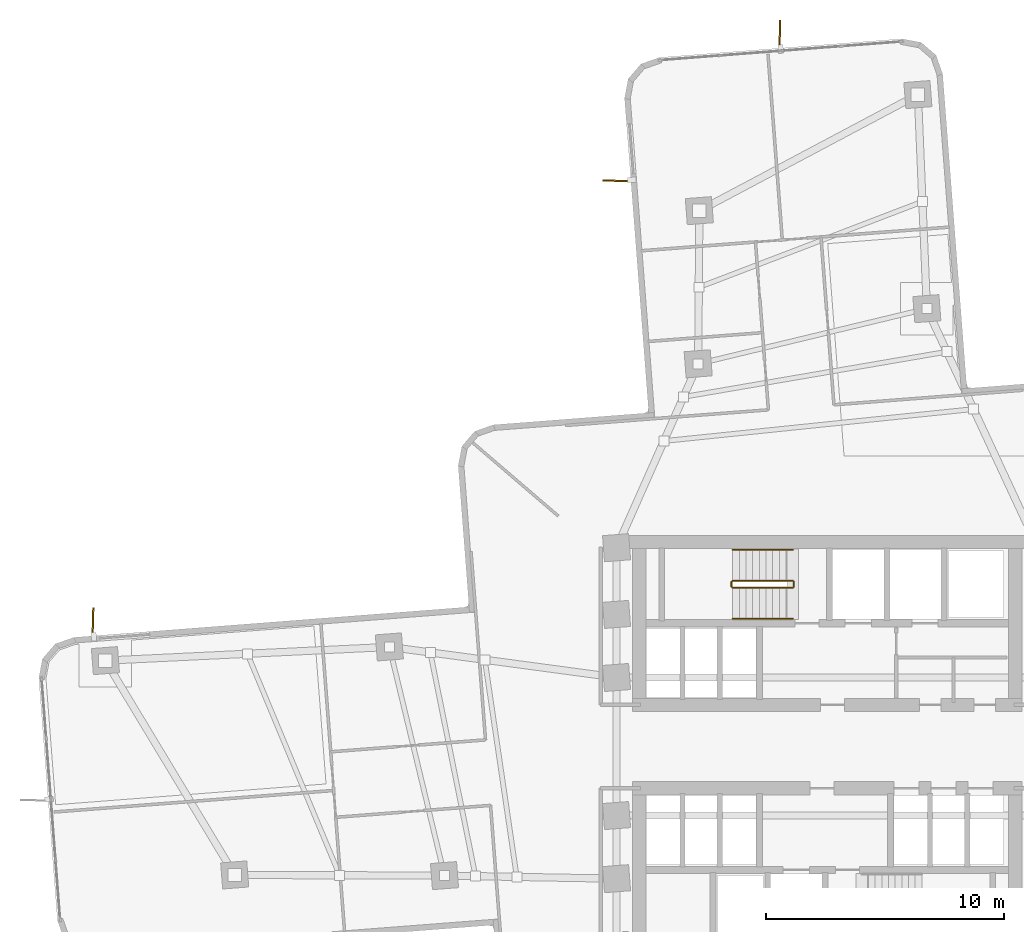
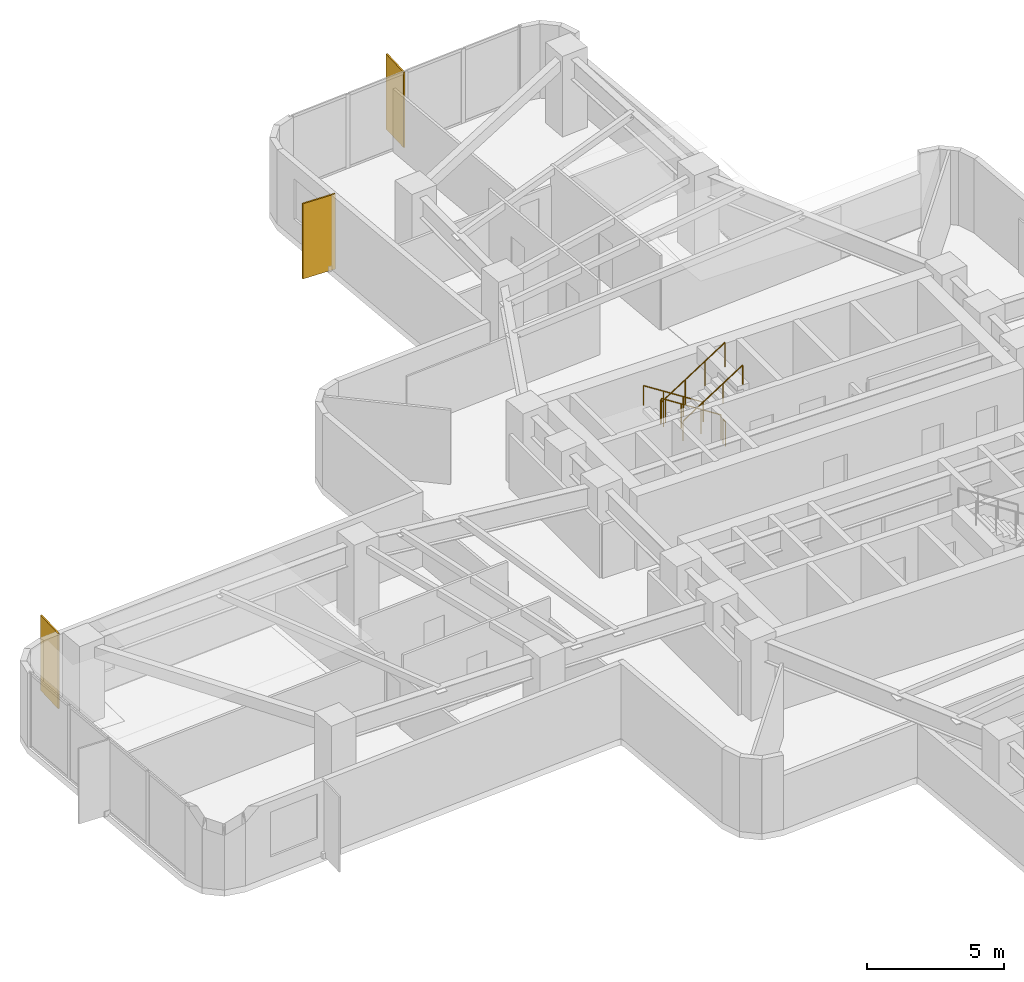
# One storey, part 14 of 15: 6 railings, 3 shading devices.
"""IFC4 building model written with IfcOpenShell, lengths in metres."""

from ifc_helpers import new_model, si_unit, direction, frame, origin, origin_2d, place, context, subcontext, project, spatial, rectangle, circle, extrude, material, layer, layer_set, type_object, element, save


model = new_model("IFC4")

# Units and contexts
model_context = context("Model", 3, precision=1e-05, world=origin(), true_north=direction((0.0, 1.0)))
body_context = subcontext(model_context, "Body", "Model", "MODEL_VIEW")
ifc_project = project(units=[si_unit("LENGTHUNIT", "METRE"), si_unit("AREAUNIT", "SQUARE_METRE"), si_unit("VOLUMEUNIT", "CUBIC_METRE"), si_unit("PLANEANGLEUNIT", "RADIAN"), si_unit("MASSUNIT", "GRAM", prefix="KILO")], contexts=[model_context])

# Site, building, storey
site_placement = place(None, origin())
site = spatial("IfcSite", under=ifc_project, at=site_placement, CompositionType="ELEMENT")
building_placement = place(site_placement, origin())
building = spatial("IfcBuilding", under=site, at=building_placement, Name="Solmarez Civic Tower", CompositionType="ELEMENT")
storey_placement = place(building_placement, frame((0.0, 0.0, 60.47998046875)))
storey = spatial("IfcBuildingStorey", under=building, at=storey_placement, Name="L15", CompositionType="ELEMENT", Elevation=60.47998046875)

# Shading devices
ifc_material_1 = material(Name="Bronze Anodised Aluminium EN AW-6063 T6", Category="aluminium")
ifc_layer = layer(ifc_material_1, 0.06494140625)
ifc_layer_set = layer_set([ifc_layer], Name="Bronze Anodised Aluminium EN AW-6063 T6")
shading_device_type = type_object("IfcShadingDeviceType", Name="FIN-BRONZE-Z12", PredefinedType="USERDEFINED", material=ifc_layer_set)
for number, where, z_axis, x_axis, name in (
    (1, (-30.844970703125, 5.153076171875, -0.0400390625), (0.0, 0.0, 1.0), (0.028724168075, 0.999587375955, 0.0), "L15 Anodised Bronze Solar Fin FIN-L15-03"),
    (2, (-8.75390625, 23.759033203125, -0.0400390625), (0.0, 0.0, 1.0), (-0.999585368194, 0.028793952368, 0.0), "L15 Anodised Bronze Solar Fin FIN-L15-04"),
    (3, (-1.9951171875, 29.840087890625, -0.0400390625), (0.0, 0.0, 1.0), (0.028759060239, 0.999586372683, 0.0), "L15 Anodised Bronze Solar Fin FIN-L15-05"),
):
    element("IfcShadingDevice", number, at=place(storey_placement, frame(where, z_axis=z_axis, x_axis=x_axis)), inside=storey, type_object=shading_device_type, Name=name, ObjectType="FIN", PredefinedType="USERDEFINED", context=body_context, shape_type="SweptSolid", body=[
        extrude(rectangle(XDim=1.35009765625, YDim=0.06494140625, at=origin_2d()), origin(), (0.0, 0.0, 1.0), 3.360107421875),
    ])

# Railings
ifc_material_2 = material(Name="Painted Steel Stairwell Safety Guard", Category="steel")
railing_type_1 = type_object("IfcRailingType", Name="GUARD-STAIR-1120", PredefinedType="BALUSTRADE", material=ifc_material_2)
railing_1_placement = place(storey_placement, frame((-1.449951171875, 6.969970703125, 0.179931640625)))
element("IfcRailing", 4, at=railing_1_placement, inside=storey, type_object=railing_type_1, Name="L15 ST-1 stair guard 1", PredefinedType="BALUSTRADE", context=body_context, shape_type="SweptSolid", body=[
    extrude(circle(Radius=0.02392578125, at=origin_2d()), frame((0.0, 0.0, 1.09619140625), z_axis=(-0.841162588446, 0.0, 0.540782303519), x_axis=(0.0, -1.0, 0.0)), (0.0, 0.0, 1.0), 2.995849609375),
    extrude(circle(Radius=0.02099609375, at=origin_2d()), origin(), (0.0, 0.0, 1.0), 1.072021484375),
    extrude(circle(Radius=0.02099609375, at=origin_2d()), frame((-0.840087890625, 0.0, 0.5400390625)), (0.0, 0.0, 1.0), 1.072021484375),
    extrude(circle(Radius=0.02099609375, at=origin_2d()), frame((-1.679931640625, 0.0, 1.080078125)), (0.0, 0.0, 1.0), 1.072021484375),
    extrude(circle(Radius=0.02099609375, at=origin_2d()), frame((-2.52001953125, 0.0, 1.6201171875)), (0.0, 0.0, 1.0), 1.072021484375),
])
railing_2_placement = place(storey_placement, frame((-4.02001953125, 6.919921875, 1.800048828125)))
element("IfcRailing", 5, at=railing_2_placement, inside=storey, type_object=railing_type_1, Name="L15 ST-1 stair guard 2", PredefinedType="BALUSTRADE", context=body_context, shape_type="SweptSolid", body=[
    extrude(circle(Radius=0.02392578125, at=origin_2d()), frame((0.0, 0.0, 1.09619140625), z_axis=(0.0, -1.0, 0.0), x_axis=(1.0, 0.0, 0.0)), (0.0, 0.0, 1.0), 0.199951171875),
    extrude(circle(Radius=0.02099609375, at=origin_2d()), origin(), (0.0, 0.0, 1.0), 1.072021484375),
    extrude(circle(Radius=0.02099609375, at=origin_2d()), frame((0.0, -0.199951171875, 0.0)), (0.0, 0.0, 1.0), 1.072021484375),
])
railing_3_placement = place(storey_placement, frame((-3.969970703125, 6.669921875, 1.97998046875)))
element("IfcRailing", 6, at=railing_3_placement, inside=storey, type_object=railing_type_1, Name="L15 ST-1 stair guard 3", PredefinedType="BALUSTRADE", context=body_context, shape_type="SweptSolid", body=[
    extrude(circle(Radius=0.02392578125, at=origin_2d()), frame((0.0, 0.0, 1.09619140625), z_axis=(0.841162588446, 0.0, 0.540782303519), x_axis=(0.0, 1.0, 0.0)), (0.0, 0.0, 1.0), 2.995849609375),
    extrude(circle(Radius=0.02099609375, at=origin_2d()), origin(), (0.0, 0.0, 1.0), 1.072021484375),
    extrude(circle(Radius=0.02099609375, at=origin_2d()), frame((0.840087890625, 0.0, 0.5400390625)), (0.0, 0.0, 1.0), 1.072021484375),
    extrude(circle(Radius=0.02099609375, at=origin_2d()), frame((1.679931640625, 0.0, 1.080078125)), (0.0, 0.0, 1.0), 1.072021484375),
    extrude(circle(Radius=0.02099609375, at=origin_2d()), frame((2.52001953125, 0.0, 1.6201171875)), (0.0, 0.0, 1.0), 1.072021484375),
])
railing_4_placement = place(storey_placement, frame((-1.39990234375, 6.919921875, 0.0)))
element("IfcRailing", 7, at=railing_4_placement, inside=storey, type_object=railing_type_1, Name="L15 ST-1 stair guard 4", PredefinedType="BALUSTRADE", context=body_context, shape_type="SweptSolid", body=[
    extrude(circle(Radius=0.02392578125, at=origin_2d()), frame((0.0, 0.0, 1.09619140625), z_axis=(0.0, -1.0, 0.0), x_axis=(1.0, 0.0, 0.0)), (0.0, 0.0, 1.0), 0.199951171875),
    extrude(circle(Radius=0.02099609375, at=origin_2d()), origin(), (0.0, 0.0, 1.0), 1.072021484375),
    extrude(circle(Radius=0.02099609375, at=origin_2d()), frame((0.0, -0.199951171875, 0.0)), (0.0, 0.0, 1.0), 1.072021484375),
])
ifc_material_3 = material(Name="Brushed Stainless Steel Tube Handrail", Category="steel")
railing_type_2 = type_object("IfcRailingType", Name="HANDRAIL-STAIR-900", PredefinedType="HANDRAIL", material=ifc_material_3)
railing_5_placement = place(storey_placement, frame((-1.449951171875, 8.27001953125, 0.179931640625)))
element("IfcRailing", 8, at=railing_5_placement, inside=storey, type_object=railing_type_2, Name="L15 ST-1 stair handrail 1", PredefinedType="HANDRAIL", context=body_context, shape_type="SweptSolid", body=[
    extrude(circle(Radius=0.02392578125, at=origin_2d()), frame((0.0, 0.0, 0.8759765625), z_axis=(-0.841162588446, 0.0, 0.540782303519), x_axis=(0.0, -1.0, 0.0)), (0.0, 0.0, 1.0), 2.995849609375),
    extrude(circle(Radius=0.02099609375, at=origin_2d()), origin(), (0.0, 0.0, 1.0), 0.851806640625),
    extrude(circle(Radius=0.02099609375, at=origin_2d()), frame((-0.840087890625, 0.0, 0.5400390625)), (0.0, 0.0, 1.0), 0.851806640625),
    extrude(circle(Radius=0.02099609375, at=origin_2d()), frame((-1.679931640625, 0.0, 1.080078125)), (0.0, 0.0, 1.0), 0.851806640625),
    extrude(circle(Radius=0.02099609375, at=origin_2d()), frame((-2.52001953125, 0.0, 1.6201171875)), (0.0, 0.0, 1.0), 0.851806640625),
])
railing_6_placement = place(storey_placement, frame((-3.969970703125, 5.3701171875, 1.97998046875)))
element("IfcRailing", 9, at=railing_6_placement, inside=storey, type_object=railing_type_2, Name="L15 ST-1 stair handrail 2", PredefinedType="HANDRAIL", context=body_context, shape_type="SweptSolid", body=[
    extrude(circle(Radius=0.02392578125, at=origin_2d()), frame((0.0, 0.0, 0.8759765625), z_axis=(0.841162588446, 0.0, 0.540782303519), x_axis=(0.0, 1.0, 0.0)), (0.0, 0.0, 1.0), 2.995849609375),
    extrude(circle(Radius=0.02099609375, at=origin_2d()), origin(), (0.0, 0.0, 1.0), 0.851806640625),
    extrude(circle(Radius=0.02099609375, at=origin_2d()), frame((0.840087890625, 0.0, 0.5400390625)), (0.0, 0.0, 1.0), 0.851806640625),
    extrude(circle(Radius=0.02099609375, at=origin_2d()), frame((1.679931640625, 0.0, 1.080078125)), (0.0, 0.0, 1.0), 0.851806640625),
    extrude(circle(Radius=0.02099609375, at=origin_2d()), frame((2.52001953125, 0.0, 1.6201171875)), (0.0, 0.0, 1.0), 0.851806640625),
])

save(model, "model.ifc")
